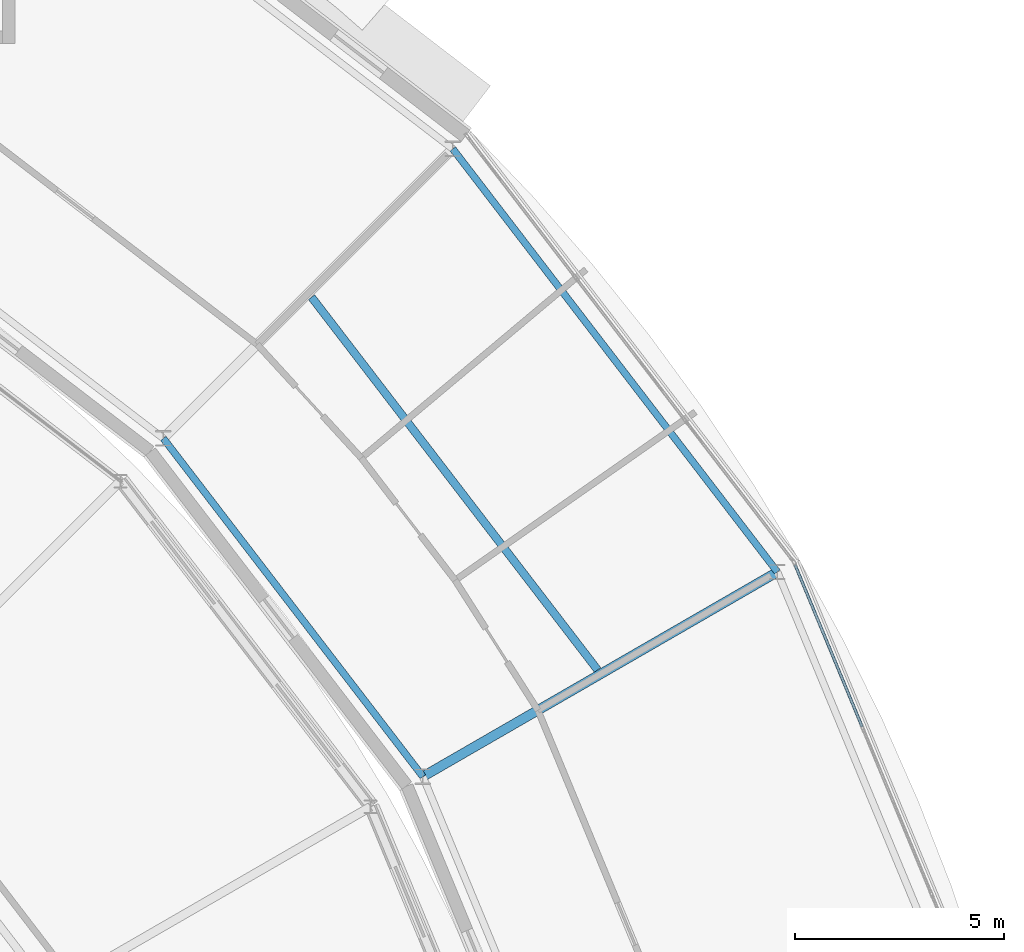
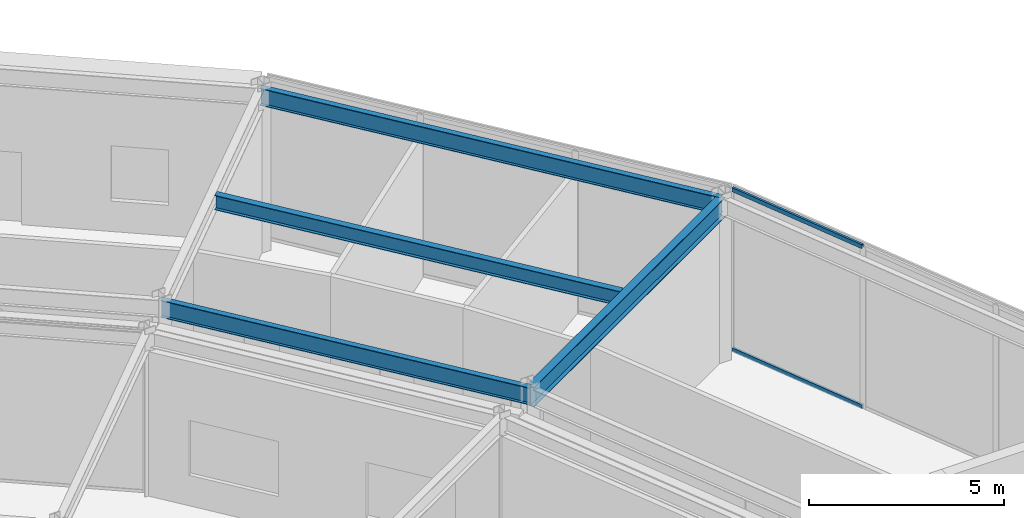
# One storey, part 87 of 168: 4 beams, 2 members, 1 element without a shape of its own.
"""IFC4 building model written with IfcOpenShell, lengths in metres."""

from ifc_helpers import new_model, si_unit, direction, frame, origin, origin_2d, place, context, subcontext, project, spatial, hollow_rectangle, i_section, extrude, material, material_profile, profile_set, type_object, element, aggregate, save


model = new_model("IFC4")

# Units and contexts
model_context = context("Model", 3, precision=1e-05, world=origin(), true_north=direction((0.0, 1.0)))
body_context = subcontext(model_context, "Body", "Model", "MODEL_VIEW")
ifc_project = project(units=[si_unit("LENGTHUNIT", "METRE"), si_unit("AREAUNIT", "SQUARE_METRE"), si_unit("VOLUMEUNIT", "CUBIC_METRE"), si_unit("PLANEANGLEUNIT", "RADIAN"), si_unit("MASSUNIT", "GRAM", prefix="KILO")], contexts=[model_context])

# Site, building, storey
site_placement = place(None, origin())
site = spatial("IfcSite", under=ifc_project, at=site_placement, CompositionType="ELEMENT")
building_placement = place(site_placement, origin())
building = spatial("IfcBuilding", under=site, at=building_placement, Name="Almandine Court Research Institute", CompositionType="ELEMENT")
storey_placement = place(building_placement, origin())
storey = spatial("IfcBuildingStorey", under=building, at=storey_placement, Name="L00", CompositionType="ELEMENT", Elevation=0.0)

# Beams
ifc_material_1 = material(Name="Steel ASTM A992 Grade 50", Category="steel")
ifc_material_profile_1 = material_profile(ifc_material_1, i_section(OverallWidth=0.18994140625, OverallDepth=0.45703125, WebThickness=0.009033203125, FlangeThickness=0.014892578125, at=origin_2d()), Name="W460x74")
ifc_profile_set_1 = profile_set([ifc_material_profile_1], Name="Steel ASTM A992 Grade 50")
beam_type_1 = type_object("IfcBeamType", Name="Beam-B-01", PredefinedType="BEAM", material=ifc_profile_set_1)
beam_1_placement = place(storey_placement, frame((125.044921875, 78.10400390625, 4.841064453125), z_axis=(-0.608773677202, 0.793343941772, 0.0), x_axis=(-0.793343941772, -0.608773677202, 0.0)))
element("IfcBeam", 1, at=beam_1_placement, inside=storey, type_object=beam_type_1, Name="L00 Drum MID Ring Beam 02", PredefinedType="BEAM", context=body_context, shape_type="SweptSolid", body=[
    extrude(i_section(OverallWidth=0.18994140625, OverallDepth=0.45703125, WebThickness=0.009033203125, FlangeThickness=0.014892578125, at=origin_2d()), origin(), (0.0, 0.0, 1.0), 11.248779296875),
])
ifc_material_profile_2 = material_profile(ifc_material_1, i_section(OverallWidth=0.22998046875, OverallDepth=0.616943359375, WebThickness=0.012939453125, FlangeThickness=0.02197265625, at=origin_2d()), Name="W610x140")
ifc_profile_set_2 = profile_set([ifc_material_profile_2], Name="Steel ASTM A992 Grade 50")
beam_type_2 = type_object("IfcBeamType", Name="Beam-G-02", PredefinedType="BEAM", material=ifc_profile_set_2)
beam_2_placement = place(storey_placement, frame((120.862060546875, 75.550048828125, 4.760986328125), z_axis=(0.866030014362, 0.49999201416, 0.0), x_axis=(-0.49999201416, 0.866030014362, 0.0)))
element("IfcBeam", 2, at=beam_2_placement, inside=storey, type_object=beam_type_2, Name="L00 Drum Radial Girder 02", PredefinedType="BEAM", context=body_context, shape_type="SweptSolid", body=[
    extrude(i_section(OverallWidth=0.22998046875, OverallDepth=0.616943359375, WebThickness=0.012939453125, FlangeThickness=0.02197265625, at=origin_2d()), origin(), (0.0, 0.0, 1.0), 9.800048828125),
])
ifc_material_profile_3 = material_profile(ifc_material_1, i_section(OverallWidth=0.166015625, OverallDepth=0.534912109375, WebThickness=0.010009765625, FlangeThickness=0.01708984375, at=origin_2d()), Name="W530x85")
ifc_profile_set_3 = profile_set([ifc_material_profile_3], Name="Steel ASTM A992 Grade 50")
beam_type_3 = type_object("IfcBeamType", Name="Beam-G-05-E", PredefinedType="SPANDREL", material=ifc_profile_set_3)
beam_3_placement = place(storey_placement, frame((120.862060546875, 75.550048828125, 4.802978515625), z_axis=(-0.608784478787, 0.793335653042, 0.0), x_axis=(-0.793335653042, -0.608784478787, 0.0)))
element("IfcBeam", 3, at=beam_3_placement, inside=storey, type_object=beam_type_3, Name="L00 Drum IN Ring Beam 02", PredefinedType="SPANDREL", context=body_context, shape_type="SweptSolid", body=[
    extrude(i_section(OverallWidth=0.166015625, OverallDepth=0.534912109375, WebThickness=0.010009765625, FlangeThickness=0.01708984375, at=origin_2d()), origin(), (0.0, 0.0, 1.0), 10.20751953125),
])
beam_4_placement = place(storey_placement, frame((129.34912109375, 80.449951171875, 4.802978515625), z_axis=(-0.608751886289, 0.793360662587, 0.0), x_axis=(-0.793360662587, -0.608751886289, 0.0)))
element("IfcBeam", 4, at=beam_4_placement, inside=storey, type_object=beam_type_3, Name="L00 Drum OUT Ring Beam 02", PredefinedType="SPANDREL", context=body_context, shape_type="SweptSolid", body=[
    extrude(i_section(OverallWidth=0.166015625, OverallDepth=0.534912109375, WebThickness=0.010009765625, FlangeThickness=0.01708984375, at=origin_2d()), origin(), (0.0, 0.0, 1.0), 12.765869140625),
])

# Curtain wall, members
ifc_material_2 = material(Name="Unitised Curtain Wall Framing and Solar Glazing", Category="glass")
curtain_wall_type = type_object("IfcCurtainWallType", Name="CW-CWJ-17", PredefinedType="USERDEFINED", material=ifc_material_2)
curtain_wall_placement = place(storey_placement, origin())
curtain_wall = element("IfcCurtainWall", 5, at=curtain_wall_placement, inside=storey, type_object=curtain_wall_type, Name="L00 Stacked-Ring Drum Outer Solar Jali Screen 01", ObjectType="SOLAR JALI SCREEN", PredefinedType="USERDEFINED")
ifc_material_3 = material(Name="Anodised Aluminium AW-6063-T6", Category="aluminium")
ifc_material_profile_4 = material_profile(ifc_material_3, hollow_rectangle(XDim=0.06494140625, YDim=0.1298828125, WallThickness=0.00390625, at=origin_2d()), Name="ALU RHS 65x130x4")
ifc_profile_set_4 = profile_set([ifc_material_profile_4], Name="Anodised Aluminium AW-6063-T6")
member_type = type_object("IfcMemberType", Name="CWTrn-65x130", PredefinedType="NOTDEFINED", material=ifc_profile_set_4)
member_1_placement = place(storey_placement, frame((129.77392578125, 80.616943359375, 0.032470703125), z_axis=(0.382631051398, -0.923901227679, 0.0), x_axis=(0.923901227679, 0.382631051398, 0.0)))
member_1 = element("IfcMember", 6, at=member_1_placement, type_object=member_type, Name="CWJ-17 transom 1.1", ObjectType="TRANSOM", PredefinedType="USERDEFINED", context=body_context, shape_type="SweptSolid", body=[
    extrude(hollow_rectangle(XDim=0.06494140625, YDim=0.1298828125, WallThickness=0.00390625, at=origin_2d()), origin(), (0.0, 0.0, 1.0), 4.1953125),
])
member_2_placement = place(storey_placement, frame((129.77392578125, 80.616943359375, 5.03759765625), z_axis=(0.382631051398, -0.923901227679, 0.0), x_axis=(0.923901227679, 0.382631051398, 0.0)))
member_2 = element("IfcMember", 7, at=member_2_placement, type_object=member_type, Name="CWJ-17 transom 1.2", ObjectType="TRANSOM", PredefinedType="USERDEFINED", context=body_context, shape_type="SweptSolid", body=[
    extrude(hollow_rectangle(XDim=0.06494140625, YDim=0.1298828125, WallThickness=0.00390625, at=origin_2d()), origin(), (0.0, 0.0, 1.0), 4.1953125),
])
aggregate(curtain_wall, [member_1, member_2])

save(model, "model.ifc")
